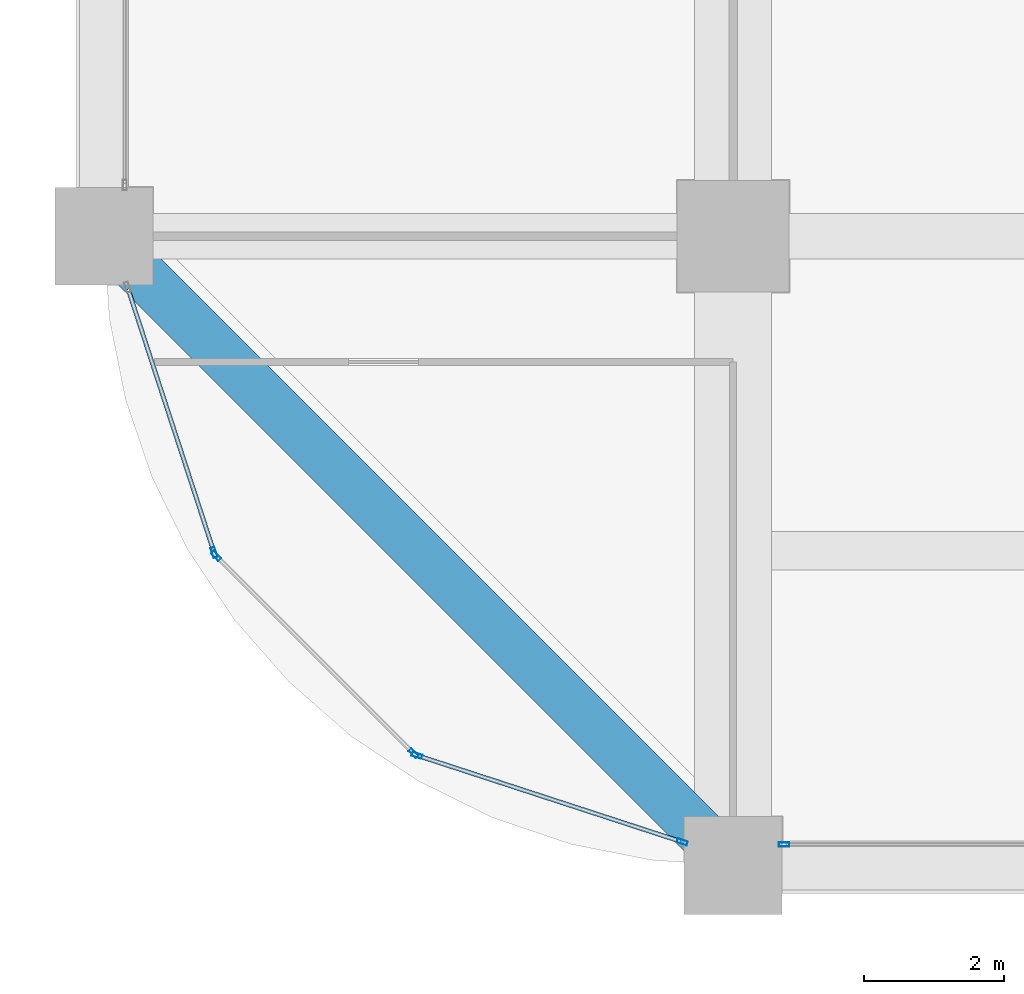
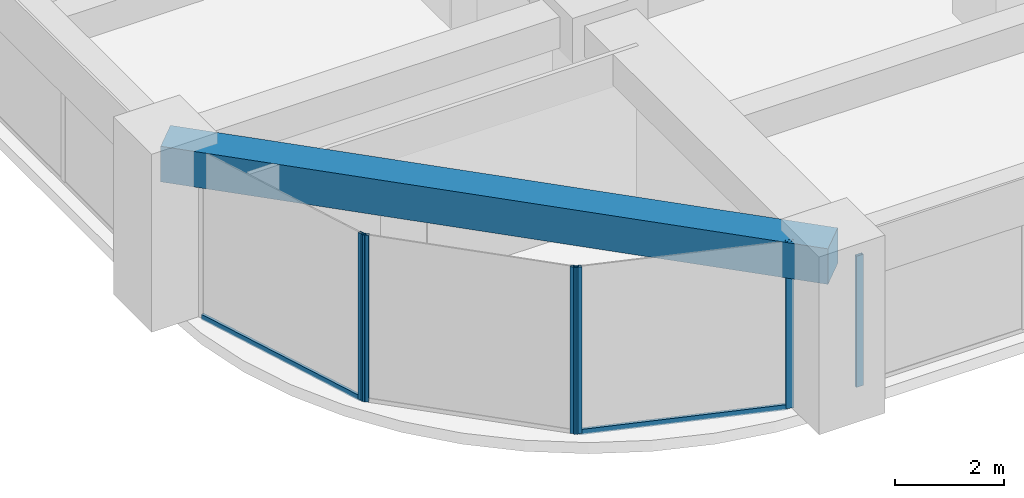
# One storey, part 2 of 32: 8 members, 1 beam, 4 elements without a shape of their own.
"""IFC4 building model written with IfcOpenShell, lengths in metres."""

from ifc_helpers import new_model, si_unit, direction, frame, origin, origin_2d, place, context, subcontext, project, spatial, rectangle, hollow_rectangle, extrude, material, material_profile, profile_set, type_object, element, aggregate, save


model = new_model("IFC4")

# Units and contexts
model_context = context("Model", 3, precision=1e-05, world=origin(), true_north=direction((0.0, 1.0)))
body_context = subcontext(model_context, "Body", "Model", "MODEL_VIEW")
ifc_project = project(units=[si_unit("LENGTHUNIT", "METRE"), si_unit("AREAUNIT", "SQUARE_METRE"), si_unit("VOLUMEUNIT", "CUBIC_METRE"), si_unit("PLANEANGLEUNIT", "RADIAN"), si_unit("MASSUNIT", "GRAM", prefix="KILO")], contexts=[model_context])

# Site, building, storey
site_placement = place(None, origin())
site = spatial("IfcSite", under=ifc_project, at=site_placement, CompositionType="ELEMENT")
building_placement = place(site_placement, origin())
building = spatial("IfcBuilding", under=site, at=building_placement, Name="Zorevar Civic Tower", CompositionType="ELEMENT")
storey_placement = place(building_placement, frame((0.0, 0.0, 190.199951171875)))
storey = spatial("IfcBuildingStorey", under=building, at=storey_placement, Name="L46", CompositionType="ELEMENT", Elevation=190.199951171875)

# Curtain wall, member
ifc_material_1 = material(Name="Dark grey solar-control glass in black aluminium frame", Category="aluminium")
curtain_wall_type = type_object("IfcCurtainWallType", Name="Curtain wall CW4 high zone", PredefinedType="NOTDEFINED", material=ifc_material_1)
curtain_wall_1_placement = place(storey_placement, origin())
curtain_wall_1 = element("IfcCurtainWall", 1, at=curtain_wall_1_placement, inside=storey, type_object=curtain_wall_type, Name="CW4 L46", PredefinedType="NOTDEFINED")
ifc_material_2 = material(Name="Aluminium, black anodised", Category="aluminium")
ifc_material_profile_1 = material_profile(ifc_material_2, hollow_rectangle(XDim=0.06005859375, YDim=0.14990234375, WallThickness=0.00390625, at=origin_2d()), Name="AL 150x60x4")
ifc_profile_set_1 = profile_set([ifc_material_profile_1], Name="Aluminium, black anodised")
member_type_1 = type_object("IfcMemberType", Name="CW4 mullion AL 150x60x4", PredefinedType="MULLION", material=ifc_profile_set_1)
member_1_placement = place(storey_placement, frame((9.72998046875, 0.300048828125, 0.0), z_axis=(0.0, 0.0, 1.0), x_axis=(0.0, 1.0, 0.0)))
member_1 = element("IfcMember", 2, at=member_1_placement, type_object=member_type_1, Name="CW4 mullion 1", PredefinedType="MULLION", context=body_context, shape_type="SweptSolid", body=[
    extrude(hollow_rectangle(XDim=0.06005859375, YDim=0.14990234375, WallThickness=0.00390625, at=origin_2d()), origin(), (0.0, 0.0, 1.0), 2.949951171875),
])
aggregate(curtain_wall_1, [member_1])

curtain_wall_2_placement = place(storey_placement, origin())
curtain_wall_2 = element("IfcCurtainWall", 3, at=curtain_wall_2_placement, inside=storey, type_object=curtain_wall_type, Name="CW4 L46", PredefinedType="NOTDEFINED")
member_2_placement = place(storey_placement, frame((1.57568359375, 4.477783203125, 0.0), z_axis=(0.0, 0.0, 1.0), x_axis=(0.950644749916, 0.310281419775, 0.0)))
member_2 = element("IfcMember", 4, at=member_2_placement, type_object=member_type_1, Name="CW4 mullion 2", PredefinedType="MULLION", context=body_context, shape_type="SweptSolid", body=[
    extrude(hollow_rectangle(XDim=0.06005859375, YDim=0.14990234375, WallThickness=0.00390625, at=origin_2d()), origin(), (0.0, 0.0, 1.0), 3.75),
])

# Curtain wall, members
curtain_wall_3_placement = place(storey_placement, origin())
curtain_wall_3 = element("IfcCurtainWall", 5, at=curtain_wall_3_placement, inside=storey, type_object=curtain_wall_type, Name="CW4 L46", PredefinedType="NOTDEFINED")
member_3_placement = place(storey_placement, frame((1.606201171875, 4.427978515625, 0.0), z_axis=(0.0, 0.0, 1.0), x_axis=(0.707106781187, 0.707106781187, 0.0)))
member_3 = element("IfcMember", 6, at=member_3_placement, type_object=member_type_1, Name="CW4 mullion 1", PredefinedType="MULLION", context=body_context, shape_type="SweptSolid", body=[
    extrude(hollow_rectangle(XDim=0.06005859375, YDim=0.14990234375, WallThickness=0.00390625, at=origin_2d()), origin(), (0.0, 0.0, 1.0), 3.75),
])
member_4_placement = place(storey_placement, frame((4.427978515625, 1.606201171875, 0.0), z_axis=(0.0, 0.0, 1.0), x_axis=(0.707106781187, 0.707106781187, 0.0)))
member_4 = element("IfcMember", 7, at=member_4_placement, type_object=member_type_1, Name="CW4 mullion 2", PredefinedType="MULLION", context=body_context, shape_type="SweptSolid", body=[
    extrude(hollow_rectangle(XDim=0.06005859375, YDim=0.14990234375, WallThickness=0.00390625, at=origin_2d()), origin(), (0.0, 0.0, 1.0), 3.75),
])
aggregate(curtain_wall_3, [member_3, member_4])

curtain_wall_4_placement = place(storey_placement, origin())
curtain_wall_4 = element("IfcCurtainWall", 8, at=curtain_wall_4_placement, inside=storey, type_object=curtain_wall_type, Name="CW4 L46", PredefinedType="NOTDEFINED")
member_5_placement = place(storey_placement, frame((4.477783203125, 1.57568359375, 0.0), z_axis=(0.0, 0.0, 1.0), x_axis=(0.310281419775, 0.950644749916, 0.0)))
member_5 = element("IfcMember", 9, at=member_5_placement, type_object=member_type_1, Name="CW4 mullion 1", PredefinedType="MULLION", context=body_context, shape_type="SweptSolid", body=[
    extrude(hollow_rectangle(XDim=0.06005859375, YDim=0.14990234375, WallThickness=0.00390625, at=origin_2d()), origin(), (0.0, 0.0, 1.0), 3.75),
])
member_6_placement = place(storey_placement, frame((8.271484375, 0.337646484375, 0.0), z_axis=(0.0, 0.0, 1.0), x_axis=(0.310281419775, 0.950644749916, 0.0)))
member_6 = element("IfcMember", 10, at=member_6_placement, type_object=member_type_1, Name="CW4 mullion 2", PredefinedType="MULLION", context=body_context, shape_type="SweptSolid", body=[
    extrude(hollow_rectangle(XDim=0.06005859375, YDim=0.14990234375, WallThickness=0.00390625, at=origin_2d()), origin(), (0.0, 0.0, 1.0), 3.75),
])

# Member
ifc_material_3 = material(Name="Aluminium, black anodised", Category="aluminium")
ifc_material_profile_2 = material_profile(ifc_material_3, hollow_rectangle(XDim=0.06005859375, YDim=0.1201171875, WallThickness=0.0029296875, at=origin_2d()), Name="AL 120x60x3")
ifc_profile_set_2 = profile_set([ifc_material_profile_2], Name="Aluminium, black anodised")
member_type_2 = type_object("IfcMemberType", Name="CW4 transom AL 120x60x3", PredefinedType="USERDEFINED", material=ifc_profile_set_2)
member_7_placement = place(storey_placement, frame((0.346923828125, 8.242919921875, 0.030029296875), z_axis=(0.31025859143, -0.950652200568, 0.0), x_axis=(0.950652200568, 0.31025859143, 0.0)))
member_7 = element("IfcMember", 11, at=member_7_placement, type_object=member_type_2, Name="CW4 sill transom", ObjectType="TRANSOM", PredefinedType="USERDEFINED", context=body_context, shape_type="SweptSolid", body=[
    extrude(hollow_rectangle(XDim=0.06005859375, YDim=0.1201171875, WallThickness=0.0029296875, at=origin_2d()), origin(), (0.0, 0.0, 1.0), 3.930419921875),
])

aggregate(curtain_wall_2, [member_2, member_7])

member_8_placement = place(storey_placement, frame((4.50634765625, 1.56640625, 0.030029296875), z_axis=(0.950652200568, -0.31025859143, 0.0), x_axis=(0.31025859143, 0.950652200568, 0.0)))
member_8 = element("IfcMember", 12, at=member_8_placement, type_object=member_type_2, Name="CW4 sill transom", ObjectType="TRANSOM", PredefinedType="USERDEFINED", context=body_context, shape_type="SweptSolid", body=[
    extrude(hollow_rectangle(XDim=0.06005859375, YDim=0.1201171875, WallThickness=0.0029296875, at=origin_2d()), origin(), (0.0, 0.0, 1.0), 3.930419921875),
])

aggregate(curtain_wall_4, [member_5, member_6, member_8])

# Beam
ifc_material_4 = material(Name="Concrete C50/60", Category="concrete")
ifc_material_profile_3 = material_profile(ifc_material_4, rectangle(XDim=0.699951171875, YDim=0.800048828125, at=origin_2d()), Name="RC 700x800")
ifc_profile_set_3 = profile_set([ifc_material_profile_3], Name="Concrete C50/60")
beam_type = type_object("IfcBeamType", Name="Edge beam RC 700x800", PredefinedType="SPANDREL", material=ifc_profile_set_3)
beam_placement = place(storey_placement, frame((0.0, 9.0, 3.35009765625), z_axis=(0.707106781187, -0.707106781187, 0.0), x_axis=(0.707106781187, 0.707106781187, 0.0)))
element("IfcBeam", 13, at=beam_placement, inside=storey, type_object=beam_type, Name="Corner edge beam L47", PredefinedType="SPANDREL", context=body_context, shape_type="SweptSolid", body=[
    extrude(rectangle(XDim=0.699951171875, YDim=0.800048828125, at=origin_2d()), origin(), (0.0, 0.0, 1.0), 12.72802734375),
])

save(model, "model.ifc")
